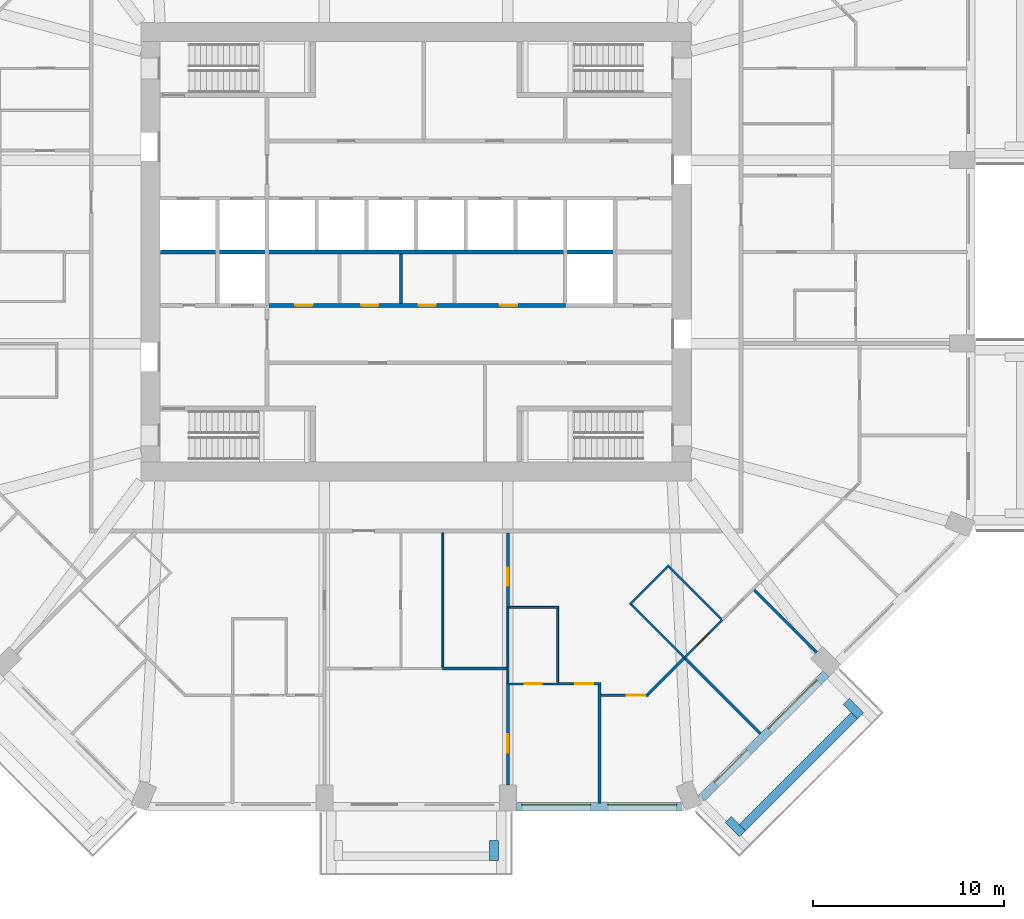
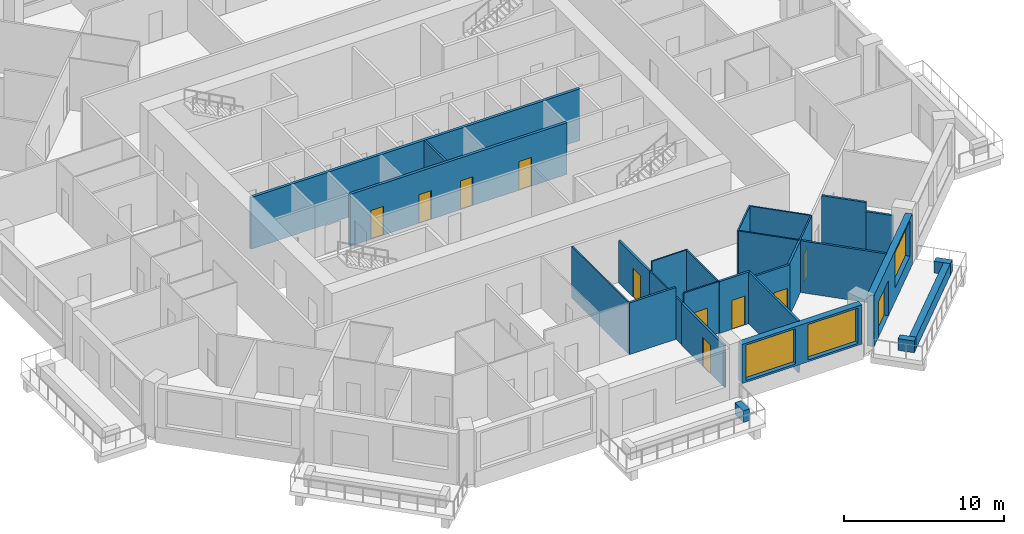
# One storey, part 5 of 13: 28 walls, 11 doors, 3 windows, 14 openings.
"""IFC4 building model written with IfcOpenShell, lengths in metres."""

from ifc_helpers import new_model, si_unit, direction, frame, frame_2d, origin, place, context, subcontext, project, spatial, rectangle, extrude, material, layer, layer_set, type_object, element, fill, save


model = new_model("IFC4")

# Units and contexts
model_context = context("Model", 3, precision=1e-05, world=origin(), true_north=direction((0.0, 1.0)))
body_context = subcontext(model_context, "Body", "Model", "MODEL_VIEW")
ifc_project = project(units=[si_unit("LENGTHUNIT", "METRE"), si_unit("AREAUNIT", "SQUARE_METRE"), si_unit("VOLUMEUNIT", "CUBIC_METRE"), si_unit("PLANEANGLEUNIT", "RADIAN"), si_unit("MASSUNIT", "GRAM", prefix="KILO")], contexts=[model_context])

# Site, building, storey
site_placement = place(None, origin())
site = spatial("IfcSite", under=ifc_project, at=site_placement, CompositionType="ELEMENT")
building_placement = place(site_placement, origin())
building = spatial("IfcBuilding", under=site, at=building_placement, Name="Msitu Wima Residences", CompositionType="ELEMENT")
storey_placement = place(building_placement, frame((0.0, 0.0, 63.300048828125)))
storey = spatial("IfcBuildingStorey", under=building, at=storey_placement, Name="L14", CompositionType="ELEMENT", Elevation=63.300048828125)

# Walls
ifc_material_1 = material(Name="Facing brick")
ifc_layer_1 = layer(ifc_material_1, 0.06494140625, Name="Facing brick")
ifc_material_2 = material(Name="Concrete C40/50", Category="concrete")
ifc_layer_2 = layer(ifc_material_2, 0.156005859375, Name="Concrete C40/50")
ifc_material_3 = material(Name="Waterproofing membrane")
ifc_layer_3 = layer(ifc_material_3, 0.00390625, Name="Waterproofing membrane")
ifc_material_4 = material(Name="Planting soil and planting")
ifc_layer_4 = layer(ifc_material_4, 0.22509765625, Name="Planting soil and planting")
ifc_layer_set_1 = layer_set([ifc_layer_1, ifc_layer_2, ifc_layer_3, ifc_layer_4], Name="Concrete C40/50")
wall_type_1 = type_object("IfcWallType", Name="Balcony planter PLANTER PL450", PredefinedType="USERDEFINED", material=ifc_layer_set_1)
wall_1_placement = place(storey_placement, frame((4.074951171875, -30.800048828125, 0.0), z_axis=(0.0, 0.0, 1.0), x_axis=(0.0, -1.0, 0.0)))
element("IfcWall", 1, at=wall_1_placement, inside=storey, type_object=wall_type_1, Name="Balcony planter S1 L14", ObjectType="PLANTER", PredefinedType="USERDEFINED", context=body_context, shape_type="SweptSolid", body=[
    extrude(rectangle(XDim=1.050048828125, YDim=0.449951171875, at=frame_2d((0.52490234375, 0.0))), origin(), (0.0, 0.0, 1.0), 0.89990234375),
])
wall_2_placement = place(storey_placement, frame((17.0693359375, -30.125732421875, 0.0), z_axis=(0.0, 0.0, 1.0), x_axis=(0.707106781187, 0.707106781187, 0.0)))
element("IfcWall", 2, at=wall_2_placement, inside=storey, type_object=wall_type_1, Name="Balcony planter SE0 L14", ObjectType="PLANTER", PredefinedType="USERDEFINED", context=body_context, shape_type="SweptSolid", body=[
    extrude(rectangle(XDim=8.2822265625, YDim=0.449951171875, at=frame_2d((4.14111328125, 0.0))), origin(), (0.0, 0.0, 1.0), 0.89990234375),
])
for number, where, z_axis, x_axis, name in (
    (3, (16.326904296875, -29.70166015625, 0.0), (0.0, 0.0, 1.0), (0.707106781187, -0.707106781187, 0.0), "Balcony planter SE0 L14"),
    (4, (22.50146484375, -23.52685546875, 0.0), (0.0, 0.0, 1.0), (0.707223014731, -0.706990528533, 0.0), "Balcony planter SE0 L14"),
):
    element("IfcWall", number, at=place(storey_placement, frame(where, z_axis=z_axis, x_axis=x_axis)), inside=storey, type_object=wall_type_1, Name=name, ObjectType="PLANTER", PredefinedType="USERDEFINED", context=body_context, shape_type="SweptSolid", body=[
        extrude(rectangle(XDim=1.050048828125, YDim=0.449951171875, at=frame_2d((0.52490234375, 0.0))), origin(), (0.0, 0.0, 1.0), 0.89990234375),
    ])

# Wall, openings, windows
ifc_material_5 = material(Name="Brick (red buff mix)", Category="masonry")
ifc_layer_5 = layer(ifc_material_5, 0.449951171875)
ifc_layer_set_2 = layer_set([ifc_layer_5], Name="Brick (red buff mix)")
wall_type_2 = type_object("IfcWallType", Name="Brick infill wall BW450", PredefinedType="SOLIDWALL", material=ifc_layer_set_2)
wall_3_placement = place(storey_placement, frame((5.25, -29.02490234375, 0.89990234375), z_axis=(0.0, 0.0, 1.0), x_axis=(1.0, 0.0, 0.0)))
wall_3 = element("IfcWall", 5, at=wall_3_placement, inside=storey, type_object=wall_type_2, Name="Brick infill wall L14 S2", PredefinedType="SOLIDWALL", context=body_context, shape_type="SweptSolid", body=[
    extrude(rectangle(XDim=8.662841796875, YDim=0.449951171875, at=frame_2d((4.33154296875, 0.0))), origin(), (0.0, 0.0, 1.0), 3.0),
])
opening_1_placement = place(wall_3_placement, frame((0.281494140625, 0.0, 0.14990234375)))
opening_1 = element("IfcOpeningElement", 6, at=opening_1_placement, cuts=wall_3, Name="Opening W13-15.019", PredefinedType="OPENING", context=body_context, shape_type="SweptSolid", body=[
    extrude(rectangle(XDim=3.60009765625, YDim=2.699951171875, at=frame_2d((1.800048828125, 1.35009765625))), frame((0.0, 0.23486328125, 0.0), z_axis=(0.0, -1.0, 0.0), x_axis=(1.0, 0.0, 0.0)), (0.0, 0.0, 1.0), 0.469970703125),
])
opening_2_placement = place(wall_3_placement, frame((4.781494140625, 0.0, 0.14990234375)))
opening_2 = element("IfcOpeningElement", 7, at=opening_2_placement, cuts=wall_3, Name="Opening W13-15.020", PredefinedType="OPENING", context=body_context, shape_type="SweptSolid", body=[
    extrude(rectangle(XDim=3.60009765625, YDim=2.699951171875, at=frame_2d((1.800048828125, 1.35009765625))), frame((0.0, 0.23486328125, 0.0), z_axis=(0.0, -1.0, 0.0), x_axis=(1.0, 0.0, 0.0)), (0.0, 0.0, 1.0), 0.469970703125),
])
ifc_material_6 = material(Name="Anodised aluminium, bronze finish, clear low-emissivity double glazing", Category="aluminium")
window_type = type_object("IfcWindowType", Name="Window W3600x2700", PartitioningType="DOUBLE_PANEL_VERTICAL", PredefinedType="WINDOW", material=ifc_material_6)
window_1_placement = place(opening_1_placement, origin())
window_1 = element("IfcWindow", 8, at=window_1_placement, inside=storey, type_object=window_type, Name="Window L14 S2.1", OverallHeight=2.699951171875, OverallWidth=3.60009765625, PartitioningType="SINGLE_PANEL", PredefinedType="WINDOW", context=body_context, shape_type="SweptSolid", body=[
    extrude(rectangle(XDim=3.60009765625, YDim=2.699951171875, at=frame_2d((1.800048828125, 1.35009765625))), frame((0.0, 0.135009765625, 0.0), z_axis=(0.0, -1.0, 0.0), x_axis=(1.0, 0.0, 0.0)), (0.0, 0.0, 1.0), 0.06005859375),
])
fill(opening_1, window_1)
window_2_placement = place(opening_2_placement, origin())
window_2 = element("IfcWindow", 9, at=window_2_placement, inside=storey, type_object=window_type, Name="Window L14 S2.2", OverallHeight=2.699951171875, OverallWidth=3.60009765625, PartitioningType="SINGLE_PANEL", PredefinedType="WINDOW", context=body_context, shape_type="SweptSolid", body=[
    extrude(rectangle(XDim=3.60009765625, YDim=2.699951171875, at=frame_2d((1.800048828125, 1.35009765625))), frame((0.0, 0.135009765625, 0.0), z_axis=(0.0, -1.0, 0.0), x_axis=(1.0, 0.0, 0.0)), (0.0, 0.0, 1.0), 0.06005859375),
])
fill(opening_2, window_2)

# Wall, openings, door, window
wall_4_placement = place(storey_placement, frame((14.903564453125, -28.61474609375, 0.0), z_axis=(0.0, 0.0, 1.0), x_axis=(0.707106781187, 0.707106781187, 0.0)))
wall_4 = element("IfcWall", 10, at=wall_4_placement, inside=storey, type_object=wall_type_2, Name="Brick infill wall L14 SE0", PredefinedType="SOLIDWALL", context=body_context, shape_type="SweptSolid", body=[
    extrude(rectangle(XDim=9.2451171875, YDim=0.449951171875, at=frame_2d((4.62255859375, 0.0))), origin(), (0.0, 0.0, 1.0), 3.89990234375),
])
opening_3_placement = place(wall_4_placement, frame((1.111328125, 0.0, 0.0)))
opening_3 = element("IfcOpeningElement", 11, at=opening_3_placement, cuts=wall_4, Name="Opening D13-15.007", PredefinedType="OPENING", context=body_context, shape_type="SweptSolid", body=[
    extrude(rectangle(XDim=2.39990234375, YDim=2.699951171875, at=frame_2d((1.199951171875, 1.35009765625))), frame((0.0, 0.23486328125, 0.0), z_axis=(0.0, -1.0, 0.0), x_axis=(1.0, 0.0, 0.0)), (0.0, 0.0, 1.0), 0.469970703125),
])
opening_4_placement = place(wall_4_placement, frame((5.072509765625, 0.0, 1.050048828125)))
opening_4 = element("IfcOpeningElement", 12, at=opening_4_placement, cuts=wall_4, Name="Opening W13-15.021", PredefinedType="OPENING", context=body_context, shape_type="SweptSolid", body=[
    extrude(rectangle(XDim=3.60009765625, YDim=2.699951171875, at=frame_2d((1.800048828125, 1.35009765625))), frame((0.0, 0.23486328125, 0.0), z_axis=(0.0, -1.0, 0.0), x_axis=(1.0, 0.0, 0.0)), (0.0, 0.0, 1.0), 0.469970703125),
])
door_type_1 = type_object("IfcDoorType", Name="Balcony door D2400x2700", OperationType="SLIDING_TO_LEFT", PredefinedType="DOOR", material=ifc_material_6)
door_1_placement = place(opening_3_placement, origin())
door_1 = element("IfcDoor", 13, at=door_1_placement, inside=storey, type_object=door_type_1, Name="Balcony door L14 SE0", OperationType="SINGLE_SWING_LEFT", OverallHeight=2.699951171875, OverallWidth=2.39990234375, PredefinedType="DOOR", context=body_context, shape_type="SweptSolid", body=[
    extrude(rectangle(XDim=2.39990234375, YDim=2.699951171875, at=frame_2d((1.199951171875, 1.35009765625))), frame((0.0, 0.1298828125, 0.0), z_axis=(0.0, -1.0, 0.0), x_axis=(1.0, 0.0, 0.0)), (0.0, 0.0, 1.0), 0.050048828125),
])
fill(opening_3, door_1)
window_3_placement = place(opening_4_placement, origin())
window_3 = element("IfcWindow", 14, at=window_3_placement, inside=storey, type_object=window_type, Name="Window L14 SE0.2", OverallHeight=2.699951171875, OverallWidth=3.60009765625, PartitioningType="SINGLE_PANEL", PredefinedType="WINDOW", context=body_context, shape_type="SweptSolid", body=[
    extrude(rectangle(XDim=3.60009765625, YDim=2.699951171875, at=frame_2d((1.800048828125, 1.35009765625))), frame((0.0, 0.135009765625, 0.0), z_axis=(0.0, -1.0, 0.0), x_axis=(1.0, 0.0, 0.0)), (0.0, 0.0, 1.0), 0.06005859375),
])
fill(opening_4, window_3)

# Wall, openings, doors
ifc_material_7 = material(Name="Plaster")
ifc_layer_6 = layer(ifc_material_7, 0.011962890625, Name="Plaster")
ifc_material_8 = material(Name="Concrete blockwork", Category="masonry")
ifc_layer_7 = layer(ifc_material_8, 0.176025390625, Name="Concrete blockwork")
ifc_layer_8 = layer(ifc_material_7, 0.011962890625, Name="Plaster")
ifc_layer_set_3 = layer_set([ifc_layer_6, ifc_layer_7, ifc_layer_8], Name="Concrete blockwork")
wall_type_3 = type_object("IfcWallType", Name="Corridor wall FW200", PredefinedType="PARTITIONING", material=ifc_layer_set_3)
wall_5_placement = place(storey_placement, frame((-7.820068359375, -2.800048828125, 0.0), z_axis=(0.0, 0.0, 1.0), x_axis=(1.0, 0.0, 0.0)))
wall_5 = element("IfcWall", 15, at=wall_5_placement, inside=storey, type_object=wall_type_3, Name="Corridor wall", PredefinedType="PARTITIONING", context=body_context, shape_type="SweptSolid", body=[
    extrude(rectangle(XDim=15.64013671875, YDim=0.199951171875, at=frame_2d((7.820068359375, 0.0))), origin(), (0.0, 0.0, 1.0), 3.949951171875),
])
opening_5_placement = place(wall_5_placement, frame((1.5, 0.0, 0.0)))
opening_5 = element("IfcOpeningElement", 16, at=opening_5_placement, cuts=wall_5, Name="Opening D13-15.028", PredefinedType="OPENING", context=body_context, shape_type="SweptSolid", body=[
    extrude(rectangle(XDim=0.89990234375, YDim=2.199951171875, at=frame_2d((0.449951171875, 1.10009765625))), frame((0.0, 0.10986328125, 0.0), z_axis=(0.0, -1.0, 0.0), x_axis=(1.0, 0.0, 0.0)), (0.0, 0.0, 1.0), 0.219970703125),
])
opening_6_placement = place(wall_5_placement, frame((4.949951171875, 0.0, 0.0)))
opening_6 = element("IfcOpeningElement", 17, at=opening_6_placement, cuts=wall_5, Name="Opening D13-15.029", PredefinedType="OPENING", context=body_context, shape_type="SweptSolid", body=[
    extrude(rectangle(XDim=0.89990234375, YDim=2.199951171875, at=frame_2d((0.449951171875, 1.10009765625))), frame((0.0, 0.10986328125, 0.0), z_axis=(0.0, -1.0, 0.0), x_axis=(1.0, 0.0, 0.0)), (0.0, 0.0, 1.0), 0.219970703125),
])
opening_7_placement = place(wall_5_placement, frame((7.949951171875, 0.0, 0.0)))
opening_7 = element("IfcOpeningElement", 18, at=opening_7_placement, cuts=wall_5, Name="Opening D13-15.030", PredefinedType="OPENING", context=body_context, shape_type="SweptSolid", body=[
    extrude(rectangle(XDim=0.89990234375, YDim=2.199951171875, at=frame_2d((0.449951171875, 1.10009765625))), frame((0.0, 0.10986328125, 0.0), z_axis=(0.0, -1.0, 0.0), x_axis=(1.0, 0.0, 0.0)), (0.0, 0.0, 1.0), 0.219970703125),
])
opening_8_placement = place(wall_5_placement, frame((12.199951171875, 0.0, 0.0)))
opening_8 = element("IfcOpeningElement", 19, at=opening_8_placement, cuts=wall_5, Name="Opening D13-15.031", PredefinedType="OPENING", context=body_context, shape_type="SweptSolid", body=[
    extrude(rectangle(XDim=0.89990234375, YDim=2.199951171875, at=frame_2d((0.449951171875, 1.10009765625))), frame((0.0, 0.10986328125, 0.0), z_axis=(0.0, -1.0, 0.0), x_axis=(1.0, 0.0, 0.0)), (0.0, 0.0, 1.0), 0.219970703125),
])
ifc_material_9 = material(Name="Timber flush door", Category="wood")
door_type_2 = type_object("IfcDoorType", Name="Service door D05 900x2200", OperationType="SINGLE_SWING_LEFT", PredefinedType="DOOR", material=ifc_material_9)
door_2_placement = place(opening_5_placement, origin())
door_2 = element("IfcDoor", 20, at=door_2_placement, inside=storey, type_object=door_type_2, Name="Service door", OperationType="SINGLE_SWING_RIGHT", OverallHeight=2.199951171875, OverallWidth=0.89990234375, PredefinedType="DOOR", context=body_context, shape_type="SweptSolid", body=[
    extrude(rectangle(XDim=0.89990234375, YDim=2.199951171875, at=frame_2d((0.449951171875, 1.10009765625))), frame((0.0, 0.02490234375, 0.0), z_axis=(0.0, -1.0, 0.0), x_axis=(1.0, 0.0, 0.0)), (0.0, 0.0, 1.0), 0.050048828125),
])
fill(opening_5, door_2)
door_3_placement = place(opening_6_placement, origin())
door_3 = element("IfcDoor", 21, at=door_3_placement, inside=storey, type_object=door_type_2, Name="Service door", OperationType="SINGLE_SWING_LEFT", OverallHeight=2.199951171875, OverallWidth=0.89990234375, PredefinedType="DOOR", context=body_context, shape_type="SweptSolid", body=[
    extrude(rectangle(XDim=0.89990234375, YDim=2.199951171875, at=frame_2d((0.449951171875, 1.10009765625))), frame((0.0, 0.02490234375, 0.0), z_axis=(0.0, -1.0, 0.0), x_axis=(1.0, 0.0, 0.0)), (0.0, 0.0, 1.0), 0.050048828125),
])
fill(opening_6, door_3)
door_4_placement = place(opening_7_placement, origin())
door_4 = element("IfcDoor", 22, at=door_4_placement, inside=storey, type_object=door_type_2, Name="Service door", OperationType="SINGLE_SWING_LEFT", OverallHeight=2.199951171875, OverallWidth=0.89990234375, PredefinedType="DOOR", context=body_context, shape_type="SweptSolid", body=[
    extrude(rectangle(XDim=0.89990234375, YDim=2.199951171875, at=frame_2d((0.449951171875, 1.10009765625))), frame((0.0, 0.02490234375, 0.0), z_axis=(0.0, -1.0, 0.0), x_axis=(1.0, 0.0, 0.0)), (0.0, 0.0, 1.0), 0.050048828125),
])
fill(opening_7, door_4)
door_5_placement = place(opening_8_placement, origin())
door_5 = element("IfcDoor", 23, at=door_5_placement, inside=storey, type_object=door_type_2, Name="Service door", OperationType="SINGLE_SWING_LEFT", OverallHeight=2.199951171875, OverallWidth=0.89990234375, PredefinedType="DOOR", context=body_context, shape_type="SweptSolid", body=[
    extrude(rectangle(XDim=0.89990234375, YDim=2.199951171875, at=frame_2d((0.449951171875, 1.10009765625))), frame((0.0, 0.02490234375, 0.0), z_axis=(0.0, -1.0, 0.0), x_axis=(1.0, 0.0, 0.0)), (0.0, 0.0, 1.0), 0.050048828125),
])
fill(opening_8, door_5)

# Walls
ifc_layer_9 = layer(ifc_material_7, 0.011962890625, Name="Plaster")
ifc_layer_10 = layer(ifc_material_8, 0.1259765625, Name="Concrete blockwork")
ifc_layer_11 = layer(ifc_material_7, 0.011962890625, Name="Plaster")
ifc_layer_set_4 = layer_set([ifc_layer_9, ifc_layer_10, ifc_layer_11], Name="Concrete blockwork")
wall_type_4 = type_object("IfcWallType", Name="Partition PW150", PredefinedType="PARTITIONING", material=ifc_layer_set_4)
wall_6_placement = place(storey_placement, frame((-0.800048828125, -2.699951171875, 0.0), z_axis=(0.0, 0.0, 1.0), x_axis=(0.0, 1.0, 0.0)))
element("IfcWall", 24, at=wall_6_placement, inside=storey, type_object=wall_type_4, Name="Partition", PredefinedType="PARTITIONING", context=body_context, shape_type="SweptSolid", body=[
    extrude(rectangle(XDim=2.599853515625, YDim=0.14990234375, at=frame_2d((1.2998046875, 0.0))), origin(), (0.0, 0.0, 1.0), 3.949951171875),
])
wall_7_placement = place(storey_placement, frame((1.3798828125, -21.800048828125, 0.0), z_axis=(0.0, 0.0, 1.0), x_axis=(1.0, 0.0, 0.0)))
element("IfcWall", 25, at=wall_7_placement, inside=storey, type_object=wall_type_4, Name="Partition", PredefinedType="PARTITIONING", context=body_context, shape_type="SweptSolid", body=[
    extrude(rectangle(XDim=3.3701171875, YDim=0.14990234375, at=frame_2d((1.68505859375, 0.0))), origin(), (0.0, 0.0, 1.0), 3.949951171875),
])

# Wall, opening, door
wall_8_placement = place(storey_placement, frame((4.800048828125, -27.89990234375, 0.0), z_axis=(0.0, 0.0, 1.0), x_axis=(0.0, 1.0, 0.0)))
wall_8 = element("IfcWall", 26, at=wall_8_placement, inside=storey, type_object=wall_type_4, Name="Partition", PredefinedType="PARTITIONING", context=body_context, shape_type="SweptSolid", body=[
    extrude(rectangle(XDim=5.31982421875, YDim=0.14990234375, at=frame_2d((2.659912109375, 0.0))), origin(), (0.0, 0.0, 1.0), 3.199951171875),
])
opening_9_placement = place(wall_8_placement, frame((1.699951171875, 0.0, 0.0)))
opening_9 = element("IfcOpeningElement", 27, at=opening_9_placement, cuts=wall_8, Name="Opening D13-15.074", PredefinedType="OPENING", context=body_context, shape_type="SweptSolid", body=[
    extrude(rectangle(XDim=0.949951171875, YDim=2.199951171875, at=frame_2d((0.47509765625, 1.10009765625))), frame((0.0, 0.0849609375, 0.0), z_axis=(0.0, -1.0, 0.0), x_axis=(1.0, 0.0, 0.0)), (0.0, 0.0, 1.0), 0.169921875),
])
door_type_3 = type_object("IfcDoorType", Name="Room door D12 950x2200", OperationType="SINGLE_SWING_LEFT", PredefinedType="DOOR", material=ifc_material_9)
door_6_placement = place(opening_9_placement, origin())
door_6 = element("IfcDoor", 28, at=door_6_placement, inside=storey, type_object=door_type_3, Name="Room door", OperationType="SINGLE_SWING_LEFT", OverallHeight=2.199951171875, OverallWidth=0.949951171875, PredefinedType="DOOR", context=body_context, shape_type="SweptSolid", body=[
    extrude(rectangle(XDim=0.949951171875, YDim=2.199951171875, at=frame_2d((0.47509765625, 1.10009765625))), frame((0.0, 0.02490234375, 0.0), z_axis=(0.0, -1.0, 0.0), x_axis=(1.0, 0.0, 0.0)), (0.0, 0.0, 1.0), 0.050048828125),
])
fill(opening_9, door_6)

wall_9_placement = place(storey_placement, frame((4.800048828125, -18.580078125, 0.0), z_axis=(0.0, 0.0, 1.0), x_axis=(0.0, 1.0, 0.0)))
wall_9 = element("IfcWall", 29, at=wall_9_placement, inside=storey, type_object=wall_type_4, Name="Partition", PredefinedType="PARTITIONING", context=body_context, shape_type="SweptSolid", body=[
    extrude(rectangle(XDim=3.880126953125, YDim=0.14990234375, at=frame_2d((1.93994140625, 0.0))), origin(), (0.0, 0.0, 1.0), 3.199951171875),
])
opening_10_placement = place(wall_9_placement, frame((1.10009765625, 0.0, 0.0)))
opening_10 = element("IfcOpeningElement", 30, at=opening_10_placement, cuts=wall_9, Name="Opening D13-15.080", PredefinedType="OPENING", context=body_context, shape_type="SweptSolid", body=[
    extrude(rectangle(XDim=0.949951171875, YDim=2.199951171875, at=frame_2d((0.47509765625, 1.10009765625))), frame((0.0, 0.0849609375, 0.0), z_axis=(0.0, -1.0, 0.0), x_axis=(1.0, 0.0, 0.0)), (0.0, 0.0, 1.0), 0.169921875),
])
door_7_placement = place(opening_10_placement, origin())
door_7 = element("IfcDoor", 31, at=door_7_placement, inside=storey, type_object=door_type_3, Name="Room door", OperationType="SINGLE_SWING_RIGHT", OverallHeight=2.199951171875, OverallWidth=0.949951171875, PredefinedType="DOOR", context=body_context, shape_type="SweptSolid", body=[
    extrude(rectangle(XDim=0.949951171875, YDim=2.199951171875, at=frame_2d((0.47509765625, 1.10009765625))), frame((0.0, 0.02490234375, 0.0), z_axis=(0.0, -1.0, 0.0), x_axis=(1.0, 0.0, 0.0)), (0.0, 0.0, 1.0), 0.050048828125),
])
fill(opening_10, door_7)

wall_10_placement = place(storey_placement, frame((7.419921875, -22.60009765625, 0.0), z_axis=(0.0, 0.0, 1.0), x_axis=(1.0, 0.0, 0.0)))
wall_10 = element("IfcWall", 32, at=wall_10_placement, inside=storey, type_object=wall_type_4, Name="Partition", PredefinedType="PARTITIONING", context=body_context, shape_type="SweptSolid", body=[
    extrude(rectangle(XDim=2.255126953125, YDim=0.14990234375, at=frame_2d((1.12744140625, 0.0))), origin(), (0.0, 0.0, 1.0), 3.949951171875),
])
opening_11_placement = place(wall_10_placement, frame((0.89990234375, 0.0, 0.0)))
opening_11 = element("IfcOpeningElement", 33, at=opening_11_placement, cuts=wall_10, Name="Opening D13-15.076", PredefinedType="OPENING", context=body_context, shape_type="SweptSolid", body=[
    extrude(rectangle(XDim=0.949951171875, YDim=2.199951171875, at=frame_2d((0.47509765625, 1.10009765625))), frame((0.0, 0.0849609375, 0.0), z_axis=(0.0, -1.0, 0.0), x_axis=(1.0, 0.0, 0.0)), (0.0, 0.0, 1.0), 0.169921875),
])
door_8_placement = place(opening_11_placement, origin())
door_8 = element("IfcDoor", 34, at=door_8_placement, inside=storey, type_object=door_type_3, Name="Room door", OperationType="SINGLE_SWING_LEFT", OverallHeight=2.199951171875, OverallWidth=0.949951171875, PredefinedType="DOOR", context=body_context, shape_type="SweptSolid", body=[
    extrude(rectangle(XDim=0.949951171875, YDim=2.199951171875, at=frame_2d((0.47509765625, 1.10009765625))), frame((0.0, 0.02490234375, 0.0), z_axis=(0.0, -1.0, 0.0), x_axis=(1.0, 0.0, 0.0)), (0.0, 0.0, 1.0), 0.050048828125),
])
fill(opening_11, door_8)

# Wall
wall_11_placement = place(storey_placement, frame((9.60009765625, -28.85498046875, 0.0), z_axis=(0.0, 0.0, 1.0), x_axis=(0.0, 1.0, 0.0)))
element("IfcWall", 35, at=wall_11_placement, inside=storey, type_object=wall_type_4, Name="Partition", PredefinedType="PARTITIONING", context=body_context, shape_type="SweptSolid", body=[
    extrude(rectangle(XDim=6.179931640625, YDim=0.14990234375, at=frame_2d((3.08984375, 0.0))), origin(), (0.0, 0.0, 1.0), 3.949951171875),
])

# Wall, opening, door
wall_12_placement = place(storey_placement, frame((9.675048828125, -23.199951171875, 0.0), z_axis=(0.0, 0.0, 1.0), x_axis=(1.0, 0.0, 0.0)))
wall_12 = element("IfcWall", 36, at=wall_12_placement, inside=storey, type_object=wall_type_4, Name="Partition", PredefinedType="PARTITIONING", context=body_context, shape_type="SweptSolid", body=[
    extrude(rectangle(XDim=2.48046875, YDim=0.14990234375, at=frame_2d((1.240234375, 0.0))), origin(), (0.0, 0.0, 1.0), 3.949951171875),
])
opening_12_placement = place(wall_12_placement, frame((1.35009765625, 0.0, 0.0)))
opening_12 = element("IfcOpeningElement", 37, at=opening_12_placement, cuts=wall_12, Name="Opening D13-15.084", PredefinedType="OPENING", context=body_context, shape_type="SweptSolid", body=[
    extrude(rectangle(XDim=0.949951171875, YDim=2.199951171875, at=frame_2d((0.47509765625, 1.10009765625))), frame((0.0, 0.0849609375, 0.0), z_axis=(0.0, -1.0, 0.0), x_axis=(1.0, 0.0, 0.0)), (0.0, 0.0, 1.0), 0.169921875),
])
door_9_placement = place(opening_12_placement, origin())
door_9 = element("IfcDoor", 38, at=door_9_placement, inside=storey, type_object=door_type_3, Name="Room door", OperationType="SINGLE_SWING_RIGHT", OverallHeight=2.199951171875, OverallWidth=0.949951171875, PredefinedType="DOOR", context=body_context, shape_type="SweptSolid", body=[
    extrude(rectangle(XDim=0.949951171875, YDim=2.199951171875, at=frame_2d((0.47509765625, 1.10009765625))), frame((0.0, 0.02490234375, 0.0), z_axis=(0.0, -1.0, 0.0), x_axis=(1.0, 0.0, 0.0)), (0.0, 0.0, 1.0), 0.050048828125),
])
fill(opening_12, door_9)

# Walls
wall_13_placement = place(storey_placement, frame((12.133544921875, -23.14697265625, 0.0), z_axis=(0.0, 0.0, 1.0), x_axis=(0.707106781187, 0.707106781187, 0.0)))
element("IfcWall", 39, at=wall_13_placement, inside=storey, type_object=wall_type_4, Name="Partition", PredefinedType="PARTITIONING", context=body_context, shape_type="SweptSolid", body=[
    extrude(rectangle(XDim=2.696533203125, YDim=0.14990234375, at=frame_2d((1.34814453125, 0.0))), origin(), (0.0, 0.0, 1.0), 3.949951171875),
])
wall_14_placement = place(storey_placement, frame((14.026123046875, -21.22607421875, 0.0), z_axis=(0.0, 0.0, 1.0), x_axis=(0.707085156134, -0.707128405578, 0.0)))
element("IfcWall", 40, at=wall_14_placement, inside=storey, type_object=wall_type_4, Name="Partition", PredefinedType="PARTITIONING", context=body_context, shape_type="SweptSolid", body=[
    extrude(rectangle(XDim=5.64501953125, YDim=0.14990234375, at=frame_2d((2.822509765625, 0.0))), origin(), (0.0, 0.0, 1.0), 3.949951171875),
])
wall_15_placement = place(storey_placement, frame((17.693115234375, -17.693115234375, 0.0), z_axis=(0.0, 0.0, 1.0), x_axis=(0.707106781187, -0.707106781187, 0.0)))
element("IfcWall", 41, at=wall_15_placement, inside=storey, type_object=wall_type_4, Name="Partition", PredefinedType="PARTITIONING", context=body_context, shape_type="SweptSolid", body=[
    extrude(rectangle(XDim=2.876708984375, YDim=0.14990234375, at=frame_2d((1.4384765625, 0.0))), origin(), (0.0, 0.0, 1.0), 3.949951171875),
])
wall_16_placement = place(storey_placement, frame((19.727294921875, -19.727294921875, 0.0), z_axis=(0.0, 0.0, 1.0), x_axis=(0.707106781187, -0.707106781187, 0.0)))
element("IfcWall", 42, at=wall_16_placement, inside=storey, type_object=wall_type_4, Name="Partition", PredefinedType="PARTITIONING", context=body_context, shape_type="SweptSolid", body=[
    extrude(rectangle(XDim=1.74853515625, YDim=0.14990234375, at=frame_2d((0.874267578125, 0.0))), origin(), (0.0, 0.0, 1.0), 3.25),
])
ifc_material_10 = material(Name="Fire-rated board")
ifc_layer_12 = layer(ifc_material_10, 0.02490234375, Name="Fire-rated board")
ifc_material_11 = material(Name="Light-gauge stud framing with mineral wool")
ifc_layer_13 = layer(ifc_material_11, 0.14990234375, Name="Light-gauge stud framing with mineral wool")
ifc_layer_14 = layer(ifc_material_10, 0.02490234375, Name="Fire-rated board")
ifc_layer_set_5 = layer_set([ifc_layer_12, ifc_layer_13, ifc_layer_14], Name="Light-gauge stud framing with mineral wool")
wall_type_5 = type_object("IfcWallType", Name="Shaft wall SH200", PredefinedType="PARTITIONING", material=ifc_layer_set_5)
wall_17_placement = place(storey_placement, frame((-13.3701171875, 0.0, 0.0), z_axis=(0.0, 0.0, 1.0), x_axis=(1.0, 0.0, 0.0)))
element("IfcWall", 43, at=wall_17_placement, inside=storey, type_object=wall_type_5, Name="Shaft wall", PredefinedType="PARTITIONING", context=body_context, shape_type="SweptSolid", body=[
    extrude(rectangle(XDim=23.77001953125, YDim=0.199951171875, at=frame_2d((11.885009765625, 0.0))), origin(), (0.0, 0.0, 1.0), 3.949951171875),
])
ifc_material_12 = material(Name="Ceramic tiles")
ifc_layer_15 = layer(ifc_material_12, 0.008056640625, Name="Ceramic tiles")
ifc_material_13 = material(Name="Moisture-resistant board")
ifc_layer_16 = layer(ifc_material_13, 0.012451171875, Name="Moisture-resistant board")
ifc_layer_17 = layer(ifc_material_11, 0.06689453125, Name="Light-gauge stud framing with mineral wool")
ifc_layer_18 = layer(ifc_material_13, 0.012451171875, Name="Moisture-resistant board")
ifc_layer_set_6 = layer_set([ifc_layer_15, ifc_layer_16, ifc_layer_17, ifc_layer_18], Name="Light-gauge stud framing with mineral wool")
wall_type_6 = type_object("IfcWallType", Name="Wet wall PW100", PredefinedType="PARTITIONING", material=ifc_layer_set_6)
wall_18_placement = place(storey_placement, frame((1.39990234375, -21.72509765625, 0.0), z_axis=(0.0, 0.0, 1.0), x_axis=(0.0, 1.0, 0.0)))
element("IfcWall", 44, at=wall_18_placement, inside=storey, type_object=wall_type_6, Name="Wet wall", PredefinedType="PARTITIONING", context=body_context, shape_type="SweptSolid", body=[
    extrude(rectangle(XDim=7.025146484375, YDim=0.10009765625, at=frame_2d((3.5126953125, 0.0))), origin(), (0.0, 0.0, 1.0), 3.949951171875),
])
wall_19_placement = place(storey_placement, frame((4.800048828125, -22.580078125, 0.0), z_axis=(0.0, 0.0, 1.0), x_axis=(0.0, 1.0, 0.0)))
element("IfcWall", 45, at=wall_19_placement, inside=storey, type_object=wall_type_6, Name="Wet wall", PredefinedType="PARTITIONING", context=body_context, shape_type="SweptSolid", body=[
    extrude(rectangle(XDim=4.0, YDim=0.10009765625, at=frame_2d((2.0, 0.0))), origin(), (0.0, 0.0, 1.0), 3.199951171875),
])

# Wall, opening, door
wall_20_placement = place(storey_placement, frame((4.875, -22.60009765625, 0.0), z_axis=(0.0, 0.0, 1.0), x_axis=(1.0, 0.0, 0.0)))
wall_20 = element("IfcWall", 46, at=wall_20_placement, inside=storey, type_object=wall_type_6, Name="Wet wall", PredefinedType="PARTITIONING", context=body_context, shape_type="SweptSolid", body=[
    extrude(rectangle(XDim=2.544921875, YDim=0.10009765625, at=frame_2d((1.2724609375, 0.0))), origin(), (0.0, 0.0, 1.0), 3.949951171875),
])
opening_13_placement = place(wall_20_placement, frame((0.800048828125, 0.0, 0.0)))
opening_13 = element("IfcOpeningElement", 47, at=opening_13_placement, cuts=wall_20, Name="Opening D13-15.075", PredefinedType="OPENING", context=body_context, shape_type="SweptSolid", body=[
    extrude(rectangle(XDim=0.89990234375, YDim=2.199951171875, at=frame_2d((0.449951171875, 1.10009765625))), frame((0.0, 0.06005859375, 0.0), z_axis=(0.0, -1.0, 0.0), x_axis=(1.0, 0.0, 0.0)), (0.0, 0.0, 1.0), 0.1201171875),
])
ifc_material_14 = material(Name="Timber flush door, moisture resistant", Category="wood")
door_type_4 = type_object("IfcDoorType", Name="Bathroom door D03 900x2200", OperationType="SINGLE_SWING_LEFT", PredefinedType="DOOR", material=ifc_material_14)
door_10_placement = place(opening_13_placement, origin())
door_10 = element("IfcDoor", 48, at=door_10_placement, inside=storey, type_object=door_type_4, Name="Bathroom door", OperationType="SINGLE_SWING_RIGHT", OverallHeight=2.199951171875, OverallWidth=0.89990234375, PredefinedType="DOOR", context=body_context, shape_type="SweptSolid", body=[
    extrude(rectangle(XDim=0.89990234375, YDim=2.199951171875, at=frame_2d((0.449951171875, 1.10009765625))), frame((0.0, 0.02490234375, 0.0), z_axis=(0.0, -1.0, 0.0), x_axis=(1.0, 0.0, 0.0)), (0.0, 0.0, 1.0), 0.050048828125),
])
fill(opening_13, door_10)

# Walls
wall_21_placement = place(storey_placement, frame((4.875, -18.60009765625, 0.0), z_axis=(0.0, 0.0, 1.0), x_axis=(1.0, 0.0, 0.0)))
element("IfcWall", 49, at=wall_21_placement, inside=storey, type_object=wall_type_6, Name="Wet wall", PredefinedType="PARTITIONING", context=body_context, shape_type="SweptSolid", body=[
    extrude(rectangle(XDim=2.574951171875, YDim=0.10009765625, at=frame_2d((1.28759765625, 0.0))), origin(), (0.0, 0.0, 1.0), 3.949951171875),
])
wall_22_placement = place(storey_placement, frame((7.39990234375, -22.52490234375, 0.0), z_axis=(0.0, 0.0, 1.0), x_axis=(0.0, 1.0, 0.0)))
element("IfcWall", 50, at=wall_22_placement, inside=storey, type_object=wall_type_6, Name="Wet wall", PredefinedType="PARTITIONING", context=body_context, shape_type="SweptSolid", body=[
    extrude(rectangle(XDim=3.875, YDim=0.10009765625, at=frame_2d((1.9375, 0.0))), origin(), (0.0, 0.0, 1.0), 3.949951171875),
])
wall_23_placement = place(storey_placement, frame((11.176513671875, -18.447021484375, 0.0), z_axis=(0.0, 0.0, 1.0), x_axis=(0.707106781187, 0.707106781187, 0.0)))
element("IfcWall", 51, at=wall_23_placement, inside=storey, type_object=wall_type_6, Name="Wet wall", PredefinedType="PARTITIONING", context=body_context, shape_type="SweptSolid", body=[
    extrude(rectangle(XDim=2.89990234375, YDim=0.10009765625, at=frame_2d((1.449951171875, 0.0))), origin(), (0.0, 0.0, 1.0), 3.949951171875),
])
wall_24_placement = place(storey_placement, frame((11.2470703125, -18.447021484375, 0.0), z_axis=(0.0, 0.0, 1.0), x_axis=(0.707106781187, -0.707106781187, 0.0)))
element("IfcWall", 52, at=wall_24_placement, inside=storey, type_object=wall_type_6, Name="Wet wall", PredefinedType="PARTITIONING", context=body_context, shape_type="SweptSolid", body=[
    extrude(rectangle(XDim=3.93017578125, YDim=0.10009765625, at=frame_2d((1.965087890625, 0.0))), origin(), (0.0, 0.0, 1.0), 3.949951171875),
])
wall_25_placement = place(storey_placement, frame((13.22705078125, -16.46728515625, 0.0), z_axis=(0.0, 0.0, 1.0), x_axis=(0.707138080869, -0.707075480118, 0.0)))
element("IfcWall", 53, at=wall_25_placement, inside=storey, type_object=wall_type_6, Name="Wet wall", PredefinedType="PARTITIONING", context=body_context, shape_type="SweptSolid", body=[
    extrude(rectangle(XDim=3.89990234375, YDim=0.10009765625, at=frame_2d((1.949951171875, 0.0))), origin(), (0.0, 0.0, 1.0), 3.949951171875),
])

# Wall, opening, door
wall_26_placement = place(storey_placement, frame((14.040283203125, -21.240234375, 0.0), z_axis=(0.0, 0.0, 1.0), x_axis=(0.707063182409, 0.707150377276, 0.0)))
wall_26 = element("IfcWall", 54, at=wall_26_placement, inside=storey, type_object=wall_type_6, Name="Wet wall", PredefinedType="PARTITIONING", context=body_context, shape_type="SweptSolid", body=[
    extrude(rectangle(XDim=2.800048828125, YDim=0.10009765625, at=frame_2d((1.39990234375, 0.0))), origin(), (0.0, 0.0, 1.0), 3.949951171875),
])
opening_14_placement = place(wall_26_placement, frame((0.949951171875, 0.0, 0.0)))
opening_14 = element("IfcOpeningElement", 55, at=opening_14_placement, cuts=wall_26, Name="Opening D13-15.079", PredefinedType="OPENING", context=body_context, shape_type="SweptSolid", body=[
    extrude(rectangle(XDim=0.89990234375, YDim=2.199951171875, at=frame_2d((0.449951171875, 1.10009765625))), frame((0.0, 0.06005859375, 0.0), z_axis=(0.0, -1.0, 0.0), x_axis=(1.0, 0.0, 0.0)), (0.0, 0.0, 1.0), 0.1201171875),
])
door_11_placement = place(opening_14_placement, origin())
door_11 = element("IfcDoor", 56, at=door_11_placement, inside=storey, type_object=door_type_4, Name="Bathroom door", OperationType="SINGLE_SWING_RIGHT", OverallHeight=2.199951171875, OverallWidth=0.89990234375, PredefinedType="DOOR", context=body_context, shape_type="SweptSolid", body=[
    extrude(rectangle(XDim=0.89990234375, YDim=2.199951171875, at=frame_2d((0.449951171875, 1.10009765625))), frame((0.0, 0.02490234375, 0.0), z_axis=(0.0, -1.0, 0.0), x_axis=(1.0, 0.0, 0.0)), (0.0, 0.0, 1.0), 0.050048828125),
])
fill(opening_14, door_11)

save(model, "model.ifc")
